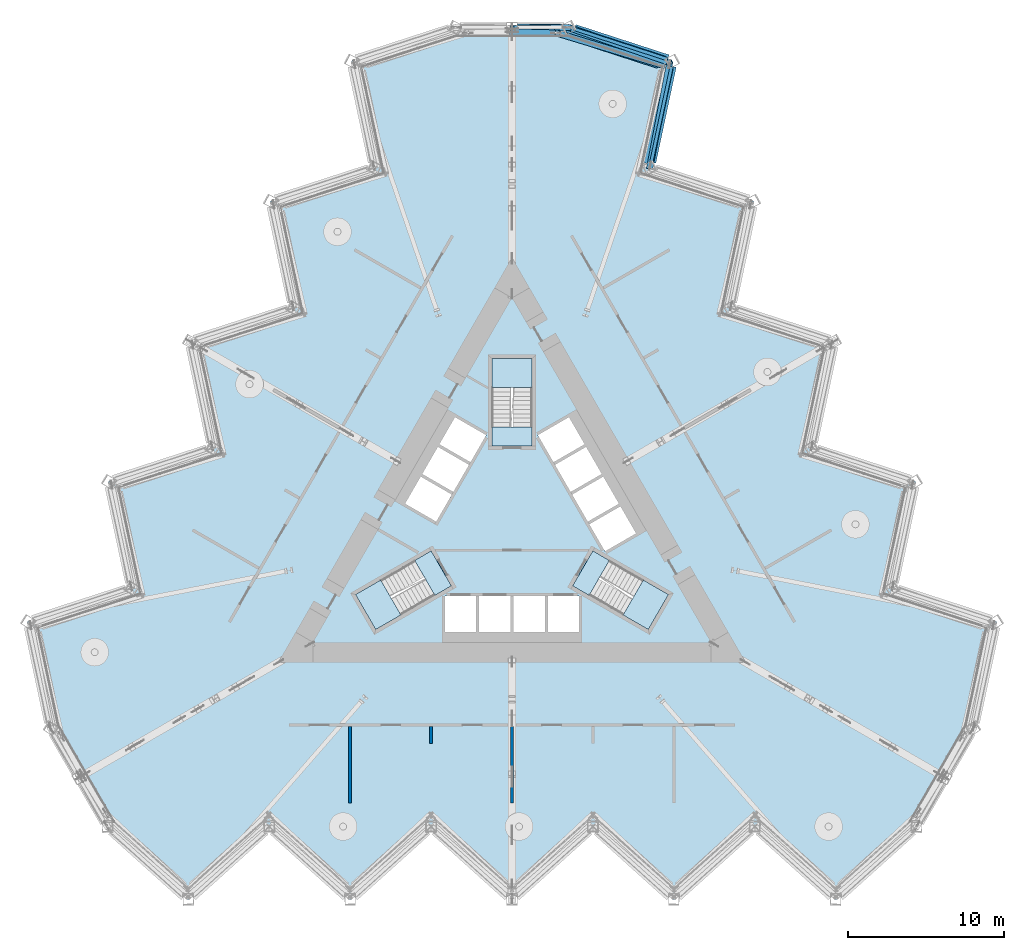
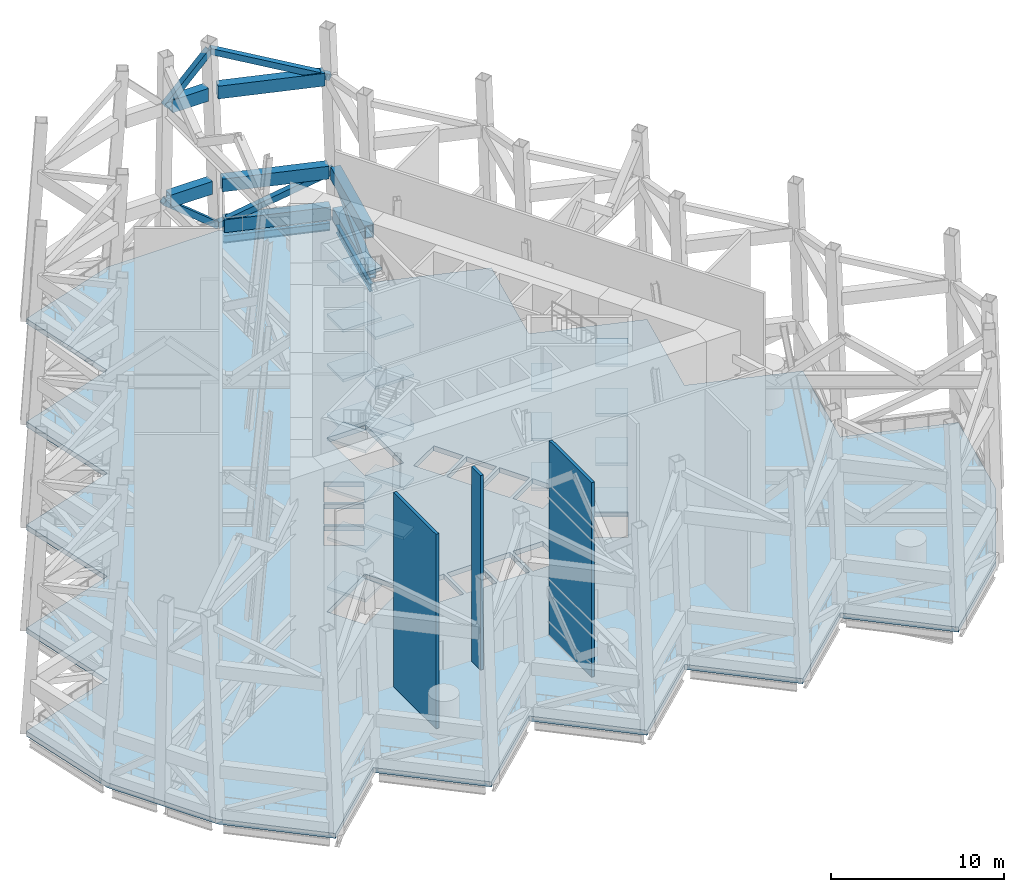
# One storey, part 7 of 19: 22 slabs, 12 members, 3 walls, 2 beams, 3 elements without a shape of their own.
"""IFC4 building model written with IfcOpenShell, lengths in metres."""

from ifc_helpers import new_model, si_unit, direction, frame, frame_2d, origin, origin_2d, place, context, subcontext, project, spatial, polyline, rectangle, hollow_rectangle, i_section, outline, extrude, material, layer, layer_set, material_profile, profile_set, type_object, element, aggregate, save


model = new_model("IFC4")

# Units and contexts
model_context = context("Model", 3, precision=1e-05, world=origin(), true_north=direction((0.0, 1.0)))
body_context = subcontext(model_context, "Body", "Model", "MODEL_VIEW")
ifc_project = project(units=[si_unit("LENGTHUNIT", "METRE"), si_unit("AREAUNIT", "SQUARE_METRE"), si_unit("VOLUMEUNIT", "CUBIC_METRE"), si_unit("PLANEANGLEUNIT", "RADIAN"), si_unit("MASSUNIT", "GRAM", prefix="KILO")], contexts=[model_context])

# Site, building, storey
site_placement = place(None, origin())
site = spatial("IfcSite", under=ifc_project, at=site_placement, CompositionType="ELEMENT")
building_placement = place(site_placement, origin())
building = spatial("IfcBuilding", under=site, at=building_placement, Name="Cormorant Prow Tower", CompositionType="ELEMENT")
storey_placement = place(building_placement, frame((0.0, 0.0, 287.800048828125)))
storey = spatial("IfcBuildingStorey", under=building, at=storey_placement, Name="L64", CompositionType="ELEMENT", Elevation=287.800048828125)

# Members
ifc_material_1 = material(Name="Structural steel ASTM A572 Gr 50", Category="steel")
ifc_material_profile_1 = material_profile(ifc_material_1, hollow_rectangle(XDim=0.60009765625, YDim=0.89990234375, WallThickness=0.06005859375, at=origin_2d()), Name="Box 900x600x60")
ifc_profile_set_1 = profile_set([ifc_material_profile_1], Name="Structural steel ASTM A572 Gr 50")
member_type_1 = type_object("IfcMemberType", Name="Belt truss bottom chord 900x600x60", PredefinedType="CHORD", material=ifc_profile_set_1)
member_1_placement = place(storey_placement, frame((8.931396484375, 23.429443359375, 0.449951171875), z_axis=(0.207896407679, 0.97815084914, 0.0), x_axis=(-0.97815084914, 0.207896407679, 0.0)))
element("IfcMember", 1, at=member_1_placement, inside=storey, type_object=member_type_1, Name="Belt truss bottom chord ENE08-ENE09 L64", PredefinedType="CHORD", context=body_context, shape_type="SweptSolid", body=[
    extrude(hollow_rectangle(XDim=0.60009765625, YDim=0.89990234375, WallThickness=0.06005859375, at=origin_2d()), origin(), (0.0, 0.0, 1.0), 6.281494140625),
])
member_2_placement = place(storey_placement, frame((8.73779296875, 23.326904296875, 3.449951171875), z_axis=(0.207897315893, 0.978150656108, 0.0), x_axis=(-0.978150656108, 0.207897315893, 0.0)))
element("IfcMember", 2, at=member_2_placement, inside=storey, type_object=member_type_1, Name="Belt truss intermediate chord ENE08-ENE09 L64 level 1", PredefinedType="CHORD", context=body_context, shape_type="SweptSolid", body=[
    extrude(hollow_rectangle(XDim=0.60009765625, YDim=0.89990234375, WallThickness=0.06005859375, at=origin_2d()), origin(), (0.0, 0.0, 1.0), 6.284912109375),
])
member_3_placement = place(storey_placement, frame((9.977294921875, 30.024169921875, 0.449951171875), z_axis=(-0.951054060056, 0.309024553801, 0.0), x_axis=(-0.309024553801, -0.951054060056, 0.0)))
element("IfcMember", 3, at=member_3_placement, inside=storey, type_object=member_type_1, Name="Belt truss bottom chord ENE09-N00 L64", PredefinedType="CHORD", context=body_context, shape_type="SweptSolid", body=[
    extrude(hollow_rectangle(XDim=0.60009765625, YDim=0.89990234375, WallThickness=0.06005859375, at=origin_2d()), origin(), (0.0, 0.0, 1.0), 6.281494140625),
])
member_4_placement = place(storey_placement, frame((9.784423828125, 29.925048828125, 3.449951171875), z_axis=(-0.951048911238, 0.309040399355, 0.0), x_axis=(-0.309040399355, -0.951048911238, 0.0)))
element("IfcMember", 4, at=member_4_placement, inside=storey, type_object=member_type_1, Name="Belt truss intermediate chord ENE09-N00 L64 level 1", PredefinedType="CHORD", context=body_context, shape_type="SweptSolid", body=[
    extrude(hollow_rectangle(XDim=0.60009765625, YDim=0.89990234375, WallThickness=0.06005859375, at=origin_2d()), origin(), (0.0, 0.0, 1.0), 6.28515625),
])
member_5_placement = place(storey_placement, frame((9.404296875, 29.72998046875, 10.25), z_axis=(-0.951057732739, 0.309013250521, 0.0), x_axis=(-0.309013250521, -0.951057732739, 0.0)))
element("IfcMember", 5, at=member_5_placement, inside=storey, type_object=member_type_1, Name="Belt truss intermediate chord ENE09-N00 L64 level 2", PredefinedType="CHORD", context=body_context, shape_type="SweptSolid", body=[
    extrude(hollow_rectangle(XDim=0.60009765625, YDim=0.89990234375, WallThickness=0.06005859375, at=origin_2d()), origin(), (0.0, 0.0, 1.0), 6.2919921875),
])
member_6_placement = place(storey_placement, frame((3.1240234375, 31.9755859375, 3.449951171875), z_axis=(-1.0, 0.0, 0.0), x_axis=(0.0, -1.0, 0.0)))
element("IfcMember", 6, at=member_6_placement, inside=storey, type_object=member_type_1, Name="Belt truss intermediate chord N00-N01 L64 level 1", PredefinedType="CHORD", context=body_context, shape_type="SweptSolid", body=[
    extrude(hollow_rectangle(XDim=0.60009765625, YDim=0.89990234375, WallThickness=0.06005859375, at=origin_2d()), origin(), (0.0, 0.0, 1.0), 2.77392578125),
])
member_7_placement = place(storey_placement, frame((2.737060546875, 31.782470703125, 10.25), z_axis=(-1.0, 0.0, 0.0), x_axis=(0.0, -1.0, 0.0)))
element("IfcMember", 7, at=member_7_placement, inside=storey, type_object=member_type_1, Name="Belt truss intermediate chord N00-N01 L64 level 2", PredefinedType="CHORD", context=body_context, shape_type="SweptSolid", body=[
    extrude(hollow_rectangle(XDim=0.60009765625, YDim=0.89990234375, WallThickness=0.06005859375, at=origin_2d()), origin(), (0.0, 0.0, 1.0), 2.386962890625),
])
ifc_material_2 = material(Name="Structural steel ASTM A500 Gr C", Category="steel")
ifc_material_profile_2 = material_profile(ifc_material_2, hollow_rectangle(XDim=0.406494140625, YDim=0.406494140625, WallThickness=0.014892578125, at=origin_2d()), Name="HSS16x16x5/8")
ifc_profile_set_2 = profile_set([ifc_material_profile_2], Name="Structural steel ASTM A500 Gr C")
member_type_2 = type_object("IfcMemberType", Name="Belt truss diagonal HSS16x16x5/8", PredefinedType="BRACE", material=ifc_profile_set_2)
member_8_placement = place(storey_placement, frame((3.644775390625, 32.060546875, 0.449951171875), z_axis=(0.865483746172, -0.300018695157, 0.401156662252), x_axis=(0.327527943746, 0.944841492561, 0.0)))
element("IfcMember", 8, at=member_8_placement, inside=storey, type_object=member_type_2, Name="Belt truss diagonal ENE09-N00 L64 lower girder band", PredefinedType="BRACE", context=body_context, shape_type="SweptSolid", body=[
    extrude(hollow_rectangle(XDim=0.406494140625, YDim=0.406494140625, WallThickness=0.014892578125, at=origin_2d()), origin(), (0.0, 0.0, 1.0), 7.478271484375),
])
member_9_placement = place(storey_placement, frame((0.0, 31.782470703125, 10.25), z_axis=(0.696913901489, -0.020360200203, 0.716865730914), x_axis=(0.029202340426, 0.999573520715, 0.0)))
element("IfcMember", 9, at=member_9_placement, inside=storey, type_object=member_type_2, Name="Belt truss diagonal N00-N01 L64 upper girder band", PredefinedType="BRACE", context=body_context, shape_type="SweptSolid", body=[
    extrude(hollow_rectangle(XDim=0.406494140625, YDim=0.406494140625, WallThickness=0.014892578125, at=origin_2d()), origin(), (0.0, 0.0, 1.0), 4.184814453125),
])
ifc_material_3 = material(Name="Structural steel ASTM A500 Gr C", Category="steel")
ifc_material_profile_3 = material_profile(ifc_material_3, hollow_rectangle(XDim=0.406494140625, YDim=0.406494140625, WallThickness=0.014892578125, at=origin_2d()), Name="HSS16x16x5/8")
ifc_profile_set_3 = profile_set([ifc_material_profile_3], Name="Structural steel ASTM A500 Gr C")
member_type_3 = type_object("IfcMemberType", Name="Belt truss strut HSS16x16x5/8", PredefinedType="STRUT", material=ifc_profile_set_3)
member_10_placement = place(storey_placement, frame((8.83349609375, 23.07373046875, 0.449951171875), z_axis=(0.171359843549, 0.90014432842, 0.400469714251), x_axis=(-0.982357862273, 0.187010776243, 0.0)))
element("IfcMember", 10, at=member_10_placement, inside=storey, type_object=member_type_3, Name="Belt truss strut ENE08-ENE09 L64 lower girder band", PredefinedType="STRUT", context=body_context, shape_type="SweptSolid", body=[
    extrude(hollow_rectangle(XDim=0.406494140625, YDim=0.406494140625, WallThickness=0.014892578125, at=origin_2d()), origin(), (0.0, 0.0, 1.0), 7.4912109375),
])
member_11_placement = place(storey_placement, frame((9.737060546875, 29.621826171875, 10.25), z_axis=(-0.881799002693, 0.268324205244, 0.387856467949), x_axis=(-0.291112559254, -0.956688809302, 0.0)))
element("IfcMember", 11, at=member_11_placement, inside=storey, type_object=member_type_3, Name="Belt truss strut ENE09-N00 L64 upper girder band", PredefinedType="STRUT", context=body_context, shape_type="SweptSolid", body=[
    extrude(hollow_rectangle(XDim=0.406494140625, YDim=0.406494140625, WallThickness=0.014892578125, at=origin_2d()), origin(), (0.0, 0.0, 1.0), 7.73486328125),
])
member_12_placement = place(storey_placement, frame((3.644775390625, 32.060546875, 0.449951171875), z_axis=(-0.771969408998, -0.017994865988, 0.635404923154), x_axis=(0.023304005079, -0.999728424797, 0.0)))
element("IfcMember", 12, at=member_12_placement, inside=storey, type_object=member_type_3, Name="Belt truss strut N00-N01 L64 lower girder band", PredefinedType="STRUT", context=body_context, shape_type="SweptSolid", body=[
    extrude(hollow_rectangle(XDim=0.406494140625, YDim=0.406494140625, WallThickness=0.014892578125, at=origin_2d()), origin(), (0.0, 0.0, 1.0), 4.721435546875),
])

# Beams
ifc_material_4 = material(Name="Structural steel ASTM A992 Gr 50", Category="steel")
ifc_material_profile_4 = material_profile(ifc_material_4, i_section(OverallWidth=0.2138671875, OverallDepth=0.549072265625, WebThickness=0.0146484375, FlangeThickness=0.023681640625, at=origin_2d()), Name="W21x93")
ifc_profile_set_4 = profile_set([ifc_material_profile_4], Name="Structural steel ASTM A992 Gr 50")
beam_type = type_object("IfcBeamType", Name="Spandrel beam W21x93", PredefinedType="SPANDREL", material=ifc_profile_set_4)
for number, where, z_axis, x_axis, name in (
    (13, (8.931396484375, 23.429443359375, -0.62451171875), (0.207896407679, 0.97815084914, 0.0), (-0.97815084914, 0.207896407679, 0.0), "Spandrel beam SB2 ENE08-ENE09 L64"),
    (14, (9.977294921875, 30.024169921875, -0.62451171875), (-0.951054060056, 0.309024553801, 0.0), (-0.309024553801, -0.951054060056, 0.0), "Spandrel beam SB2 ENE09-N00 L64"),
):
    element("IfcBeam", number, at=place(storey_placement, frame(where, z_axis=z_axis, x_axis=x_axis)), inside=storey, type_object=beam_type, Name=name, PredefinedType="SPANDREL", context=body_context, shape_type="SweptSolid", body=[
        extrude(i_section(OverallWidth=0.2138671875, OverallDepth=0.549072265625, WebThickness=0.0146484375, FlangeThickness=0.023681640625, at=origin_2d()), origin(), (0.0, 0.0, 1.0), 6.281494140625),
    ])

# Slab
ifc_material_5 = material(Name="Concrete C40/50", Category="concrete")
ifc_layer_1 = layer(ifc_material_5, 0.35009765625)
ifc_layer_set_1 = layer_set([ifc_layer_1], Name="Concrete C40/50")
slab_type_1 = type_object("IfcSlabType", Name="Post-tensioned flat slab 350", PredefinedType="FLOOR", material=ifc_layer_set_1)
slab_1_placement = place(storey_placement, frame((0.0, 0.0, -0.35009765625)))
element("IfcSlab", 15, at=slab_1_placement, inside=storey, type_object=slab_type_1, Name="Floor slab L64", PredefinedType="FLOOR", context=body_context, shape_type="SweptSolid", body=[
    extrude(outline(polyline([(3.67041015625, 32.073486328125), (0.0, 32.073486328125), (-3.67041015625, 32.073486328125), (-10.310302734375, 29.916015625), (-8.858642578125, 23.087158203125), (-15.49853515625, 20.9296875), (-14.046875, 14.100830078125), (-20.686767578125, 11.943359375), (-19.235107421875, 5.114501953125), (-25.875, 2.957275390625), (-24.42333984375, -3.871826171875), (-31.063232421875, -6.029052734375), (-29.611572265625, -12.858154296875), (-27.7763671875, -16.03662109375), (-25.941162109375, -19.21533203125), (-20.7529296875, -23.886962890625), (-15.564697265625, -19.21533203125), (-10.37646484375, -23.886962890625), (-5.188232421875, -19.21533203125), (0.0, -23.886962890625), (5.188232421875, -19.21533203125), (10.37646484375, -23.886962890625), (15.564697265625, -19.21533203125), (20.7529296875, -23.886962890625), (25.941162109375, -19.21533203125), (27.7763671875, -16.03662109375), (29.611572265625, -12.858154296875), (31.063232421875, -6.029052734375), (24.42333984375, -3.871826171875), (25.875, 2.957275390625), (19.235107421875, 5.114501953125), (20.686767578125, 11.943359375), (14.046875, 14.100830078125), (15.49853515625, 20.9296875), (8.858642578125, 23.087158203125), (10.310302734375, 29.916015625), (3.67041015625, 32.073486328125)]), holes=[polyline([(-4.300048828125, -4.39990234375), (-2.300048828125, -4.39990234375), (-2.300048828125, -6.699951171875), (-4.300048828125, -6.699951171875), (-4.300048828125, -4.39990234375)]), polyline([(-0.10009765625, -4.39990234375), (-0.10009765625, -6.699951171875), (-2.10009765625, -6.699951171875), (-2.10009765625, -4.39990234375), (-0.10009765625, -4.39990234375)]), polyline([(2.10009765625, -6.699951171875), (0.10009765625, -6.699951171875), (0.10009765625, -4.39990234375), (2.10009765625, -4.39990234375), (2.10009765625, -6.699951171875)]), polyline([(2.300048828125, -6.699951171875), (2.300048828125, -4.39990234375), (4.300048828125, -4.39990234375), (4.300048828125, -6.699951171875), (2.300048828125, -6.699951171875)]), polyline([(5.96044921875, -1.52392578125), (4.96044921875, 0.2080078125), (6.952392578125, 1.358154296875), (7.952392578125, -0.373779296875), (5.96044921875, -1.52392578125)]), polyline([(3.860595703125, 2.11328125), (5.852294921875, 3.263427734375), (6.852294921875, 1.53125), (4.860595703125, 0.38134765625), (3.860595703125, 2.11328125)]), polyline([(4.75244140625, 5.168701171875), (5.75244140625, 3.4365234375), (3.760498046875, 2.28662109375), (2.760498046875, 4.018798828125), (4.75244140625, 5.168701171875)]), polyline([(4.65234375, 5.341796875), (2.660400390625, 4.19189453125), (1.660400390625, 5.923828125), (3.65234375, 7.073974609375), (4.65234375, 5.341796875)]), polyline([(-1.660400390625, 5.923828125), (-2.660400390625, 4.19189453125), (-4.65234375, 5.341796875), (-3.65234375, 7.073974609375), (-1.660400390625, 5.923828125)]), polyline([(-3.760498046875, 2.28662109375), (-5.75244140625, 3.4365234375), (-4.75244140625, 5.168701171875), (-2.760498046875, 4.018798828125), (-3.760498046875, 2.28662109375)]), polyline([(-6.852294921875, 1.53125), (-5.852294921875, 3.263427734375), (-3.860595703125, 2.11328125), (-4.860595703125, 0.38134765625), (-6.852294921875, 1.53125)]), polyline([(-4.947509765625, -4.3505859375), (-8.738037109375, -6.5390625), (-10.031982421875, -4.2978515625), (-6.241455078125, -2.109375), (-4.947509765625, -4.3505859375)]), polyline([(10.031982421875, -4.2978515625), (8.738037109375, -6.5390625), (4.947509765625, -4.3505859375), (6.241455078125, -2.109375), (10.031982421875, -4.2978515625)]), polyline([(1.2939453125, 10.8369140625), (1.2939453125, 6.459716796875), (-1.2939453125, 6.459716796875), (-1.2939453125, 10.8369140625), (1.2939453125, 10.8369140625)])]), origin(), (0.0, 0.0, 1.0), 0.35009765625),
])

# Stair, slabs
ifc_material_6 = material(Name="Exit stair 80 risers")
stair_type = type_object("IfcStairType", Name="Exit stair 80 risers", PredefinedType="HALF_TURN_STAIR", material=ifc_material_6)
stair_1_placement = place(storey_placement, origin())
stair_1 = element("IfcStair", 16, at=stair_1_placement, inside=storey, type_object=stair_type, Name="L64 Exit stair ST1", PredefinedType="HALF_TURN_STAIR")
ifc_material_7 = material(Name="Concrete 5000 psi", Category="concrete")
ifc_layer_2 = layer(ifc_material_7, 0.199951171875)
ifc_layer_set_2 = layer_set([ifc_layer_2], Name="Concrete 5000 psi")
slab_type_2 = type_object("IfcSlabType", Name="Stair landing 200", PredefinedType="LANDING", material=ifc_layer_set_2)
slab_2_placement = place(storey_placement, frame((0.0, 0.0, 1.550048828125)))
slab_2 = element("IfcSlab", 17, at=slab_2_placement, type_object=slab_type_2, Name="ST1 landing 1", PredefinedType="LANDING", context=body_context, shape_type="SweptSolid", body=[
    extrude(outline(polyline([(-8.416748046875, -3.365234375), (-10.031982421875, -4.2978515625), (-8.738037109375, -6.5390625), (-7.122802734375, -5.6064453125), (-8.416748046875, -3.365234375)])), origin(), (0.0, 0.0, 1.0), 0.199951171875),
])
slab_3_placement = place(storey_placement, frame((0.0, 0.0, 3.300048828125)))
slab_3 = element("IfcSlab", 18, at=slab_3_placement, type_object=slab_type_2, Name="ST1 landing 2", PredefinedType="LANDING", context=body_context, shape_type="SweptSolid", body=[
    extrude(outline(polyline([(-5.18212890625, -1.497802734375), (-6.241455078125, -2.109375), (-4.947265625, -4.3505859375), (-3.88818359375, -3.739013671875), (-5.18212890625, -1.497802734375)])), origin(), (0.0, 0.0, 1.0), 0.199951171875),
])
slab_4_placement = place(storey_placement, frame((0.0, 0.0, 5.050048828125)))
slab_4 = element("IfcSlab", 19, at=slab_4_placement, type_object=slab_type_2, Name="ST1 landing 3", PredefinedType="LANDING", context=body_context, shape_type="SweptSolid", body=[
    extrude(outline(polyline([(-8.416748046875, -3.365234375), (-10.031982421875, -4.2978515625), (-8.738037109375, -6.5390625), (-7.122802734375, -5.6064453125), (-8.416748046875, -3.365234375)])), origin(), (0.0, 0.0, 1.0), 0.199951171875),
])
slab_5_placement = place(storey_placement, frame((0.0, 0.0, 6.800048828125)))
slab_5 = element("IfcSlab", 20, at=slab_5_placement, type_object=slab_type_2, Name="ST1 landing 4", PredefinedType="LANDING", context=body_context, shape_type="SweptSolid", body=[
    extrude(outline(polyline([(-5.18212890625, -1.497802734375), (-6.241455078125, -2.109375), (-4.947265625, -4.3505859375), (-3.88818359375, -3.739013671875), (-5.18212890625, -1.497802734375)])), origin(), (0.0, 0.0, 1.0), 0.199951171875),
])
slab_6_placement = place(storey_placement, frame((0.0, 0.0, 8.550048828125)))
slab_6 = element("IfcSlab", 21, at=slab_6_placement, type_object=slab_type_2, Name="ST1 landing 5", PredefinedType="LANDING", context=body_context, shape_type="SweptSolid", body=[
    extrude(outline(polyline([(-8.416748046875, -3.365234375), (-10.031982421875, -4.2978515625), (-8.738037109375, -6.5390625), (-7.122802734375, -5.6064453125), (-8.416748046875, -3.365234375)])), origin(), (0.0, 0.0, 1.0), 0.199951171875),
])
slab_7_placement = place(storey_placement, frame((0.0, 0.0, 10.300048828125)))
slab_7 = element("IfcSlab", 22, at=slab_7_placement, type_object=slab_type_2, Name="ST1 landing 6", PredefinedType="LANDING", context=body_context, shape_type="SweptSolid", body=[
    extrude(outline(polyline([(-5.18212890625, -1.497802734375), (-6.241455078125, -2.109375), (-4.947265625, -4.3505859375), (-3.88818359375, -3.739013671875), (-5.18212890625, -1.497802734375)])), origin(), (0.0, 0.0, 1.0), 0.199951171875),
])
slab_8_placement = place(storey_placement, frame((0.0, 0.0, 12.050048828125)))
slab_8 = element("IfcSlab", 23, at=slab_8_placement, type_object=slab_type_2, Name="ST1 landing 7", PredefinedType="LANDING", context=body_context, shape_type="SweptSolid", body=[
    extrude(outline(polyline([(-8.416748046875, -3.365234375), (-10.031982421875, -4.2978515625), (-8.738037109375, -6.5390625), (-7.122802734375, -5.6064453125), (-8.416748046875, -3.365234375)])), origin(), (0.0, 0.0, 1.0), 0.199951171875),
])
aggregate(stair_1, [slab_2, slab_3, slab_4, slab_5, slab_6, slab_7, slab_8])

stair_2_placement = place(storey_placement, origin())
stair_2 = element("IfcStair", 24, at=stair_2_placement, inside=storey, type_object=stair_type, Name="L64 Exit stair ST2", PredefinedType="HALF_TURN_STAIR")
slab_9_placement = place(storey_placement, frame((0.0, 0.0, 1.550048828125)))
slab_9 = element("IfcSlab", 25, at=slab_9_placement, type_object=slab_type_2, Name="ST2 landing 1", PredefinedType="LANDING", context=body_context, shape_type="SweptSolid", body=[
    extrude(outline(polyline([(7.122802734375, -5.6064453125), (8.738037109375, -6.5390625), (10.031982421875, -4.2978515625), (8.416748046875, -3.365234375), (7.122802734375, -5.6064453125)])), origin(), (0.0, 0.0, 1.0), 0.199951171875),
])
slab_10_placement = place(storey_placement, frame((0.0, 0.0, 3.300048828125)))
slab_10 = element("IfcSlab", 26, at=slab_10_placement, type_object=slab_type_2, Name="ST2 landing 2", PredefinedType="LANDING", context=body_context, shape_type="SweptSolid", body=[
    extrude(outline(polyline([(3.88818359375, -3.739013671875), (4.947265625, -4.3505859375), (6.241455078125, -2.109375), (5.18212890625, -1.497802734375), (3.88818359375, -3.739013671875)])), origin(), (0.0, 0.0, 1.0), 0.199951171875),
])
slab_11_placement = place(storey_placement, frame((0.0, 0.0, 5.050048828125)))
slab_11 = element("IfcSlab", 27, at=slab_11_placement, type_object=slab_type_2, Name="ST2 landing 3", PredefinedType="LANDING", context=body_context, shape_type="SweptSolid", body=[
    extrude(outline(polyline([(7.122802734375, -5.6064453125), (8.738037109375, -6.5390625), (10.031982421875, -4.2978515625), (8.416748046875, -3.365234375), (7.122802734375, -5.6064453125)])), origin(), (0.0, 0.0, 1.0), 0.199951171875),
])
slab_12_placement = place(storey_placement, frame((0.0, 0.0, 6.800048828125)))
slab_12 = element("IfcSlab", 28, at=slab_12_placement, type_object=slab_type_2, Name="ST2 landing 4", PredefinedType="LANDING", context=body_context, shape_type="SweptSolid", body=[
    extrude(outline(polyline([(3.88818359375, -3.739013671875), (4.947265625, -4.3505859375), (6.241455078125, -2.109375), (5.18212890625, -1.497802734375), (3.88818359375, -3.739013671875)])), origin(), (0.0, 0.0, 1.0), 0.199951171875),
])
slab_13_placement = place(storey_placement, frame((0.0, 0.0, 8.550048828125)))
slab_13 = element("IfcSlab", 29, at=slab_13_placement, type_object=slab_type_2, Name="ST2 landing 5", PredefinedType="LANDING", context=body_context, shape_type="SweptSolid", body=[
    extrude(outline(polyline([(7.122802734375, -5.6064453125), (8.738037109375, -6.5390625), (10.031982421875, -4.2978515625), (8.416748046875, -3.365234375), (7.122802734375, -5.6064453125)])), origin(), (0.0, 0.0, 1.0), 0.199951171875),
])
slab_14_placement = place(storey_placement, frame((0.0, 0.0, 10.300048828125)))
slab_14 = element("IfcSlab", 30, at=slab_14_placement, type_object=slab_type_2, Name="ST2 landing 6", PredefinedType="LANDING", context=body_context, shape_type="SweptSolid", body=[
    extrude(outline(polyline([(3.88818359375, -3.739013671875), (4.947265625, -4.3505859375), (6.241455078125, -2.109375), (5.18212890625, -1.497802734375), (3.88818359375, -3.739013671875)])), origin(), (0.0, 0.0, 1.0), 0.199951171875),
])
slab_15_placement = place(storey_placement, frame((0.0, 0.0, 12.050048828125)))
slab_15 = element("IfcSlab", 31, at=slab_15_placement, type_object=slab_type_2, Name="ST2 landing 7", PredefinedType="LANDING", context=body_context, shape_type="SweptSolid", body=[
    extrude(outline(polyline([(7.122802734375, -5.6064453125), (8.738037109375, -6.5390625), (10.031982421875, -4.2978515625), (8.416748046875, -3.365234375), (7.122802734375, -5.6064453125)])), origin(), (0.0, 0.0, 1.0), 0.199951171875),
])
aggregate(stair_2, [slab_9, slab_10, slab_11, slab_12, slab_13, slab_14, slab_15])

stair_3_placement = place(storey_placement, origin())
stair_3 = element("IfcStair", 32, at=stair_3_placement, inside=storey, type_object=stair_type, Name="L64 Exit stair ST3", PredefinedType="HALF_TURN_STAIR")
slab_16_placement = place(storey_placement, frame((0.0, 0.0, 1.550048828125)))
slab_16 = element("IfcSlab", 33, at=slab_16_placement, type_object=slab_type_2, Name="ST3 landing 1", PredefinedType="LANDING", context=body_context, shape_type="SweptSolid", body=[
    extrude(outline(polyline([(1.2939453125, 8.971923828125), (1.2939453125, 10.8369140625), (-1.2939453125, 10.8369140625), (-1.2939453125, 8.971923828125), (1.2939453125, 8.971923828125)])), origin(), (0.0, 0.0, 1.0), 0.199951171875),
])
slab_17_placement = place(storey_placement, frame((0.0, 0.0, 3.300048828125)))
slab_17 = element("IfcSlab", 34, at=slab_17_placement, type_object=slab_type_2, Name="ST3 landing 2", PredefinedType="LANDING", context=body_context, shape_type="SweptSolid", body=[
    extrude(outline(polyline([(1.2939453125, 5.23681640625), (1.2939453125, 6.459716796875), (-1.2939453125, 6.459716796875), (-1.2939453125, 5.23681640625), (1.2939453125, 5.23681640625)])), origin(), (0.0, 0.0, 1.0), 0.199951171875),
])
slab_18_placement = place(storey_placement, frame((0.0, 0.0, 5.050048828125)))
slab_18 = element("IfcSlab", 35, at=slab_18_placement, type_object=slab_type_2, Name="ST3 landing 3", PredefinedType="LANDING", context=body_context, shape_type="SweptSolid", body=[
    extrude(outline(polyline([(1.2939453125, 8.971923828125), (1.2939453125, 10.8369140625), (-1.2939453125, 10.8369140625), (-1.2939453125, 8.971923828125), (1.2939453125, 8.971923828125)])), origin(), (0.0, 0.0, 1.0), 0.199951171875),
])
slab_19_placement = place(storey_placement, frame((0.0, 0.0, 6.800048828125)))
slab_19 = element("IfcSlab", 36, at=slab_19_placement, type_object=slab_type_2, Name="ST3 landing 4", PredefinedType="LANDING", context=body_context, shape_type="SweptSolid", body=[
    extrude(outline(polyline([(1.2939453125, 5.23681640625), (1.2939453125, 6.459716796875), (-1.2939453125, 6.459716796875), (-1.2939453125, 5.23681640625), (1.2939453125, 5.23681640625)])), origin(), (0.0, 0.0, 1.0), 0.199951171875),
])
slab_20_placement = place(storey_placement, frame((0.0, 0.0, 8.550048828125)))
slab_20 = element("IfcSlab", 37, at=slab_20_placement, type_object=slab_type_2, Name="ST3 landing 5", PredefinedType="LANDING", context=body_context, shape_type="SweptSolid", body=[
    extrude(outline(polyline([(1.2939453125, 8.971923828125), (1.2939453125, 10.8369140625), (-1.2939453125, 10.8369140625), (-1.2939453125, 8.971923828125), (1.2939453125, 8.971923828125)])), origin(), (0.0, 0.0, 1.0), 0.199951171875),
])
slab_21_placement = place(storey_placement, frame((0.0, 0.0, 10.300048828125)))
slab_21 = element("IfcSlab", 38, at=slab_21_placement, type_object=slab_type_2, Name="ST3 landing 6", PredefinedType="LANDING", context=body_context, shape_type="SweptSolid", body=[
    extrude(outline(polyline([(1.2939453125, 5.23681640625), (1.2939453125, 6.459716796875), (-1.2939453125, 6.459716796875), (-1.2939453125, 5.23681640625), (1.2939453125, 5.23681640625)])), origin(), (0.0, 0.0, 1.0), 0.199951171875),
])
slab_22_placement = place(storey_placement, frame((0.0, 0.0, 12.050048828125)))
slab_22 = element("IfcSlab", 39, at=slab_22_placement, type_object=slab_type_2, Name="ST3 landing 7", PredefinedType="LANDING", context=body_context, shape_type="SweptSolid", body=[
    extrude(outline(polyline([(1.2939453125, 8.971923828125), (1.2939453125, 10.8369140625), (-1.2939453125, 10.8369140625), (-1.2939453125, 8.971923828125), (1.2939453125, 8.971923828125)])), origin(), (0.0, 0.0, 1.0), 0.199951171875),
])
aggregate(stair_3, [slab_16, slab_17, slab_18, slab_19, slab_20, slab_21, slab_22])

# Walls
ifc_material_8 = material(Name="Gypsum board demising wall")
ifc_layer_3 = layer(ifc_material_8, 0.199951171875)
ifc_layer_set_3 = layer_set([ifc_layer_3], Name="Gypsum board demising wall")
wall_type = type_object("IfcWallType", Name="Demising wall 200", PredefinedType="PARTITIONING", material=ifc_layer_set_3)
for number, where, z_axis, x_axis, name in (
    (40, (-10.37646484375, -17.660400390625, 0.0), (0.0, 0.0, 1.0), (0.0, 1.0, 0.0), "Demising wall"),
    (41, (0.0, -17.660400390625, 0.0), (0.0, 0.0, 1.0), (0.0, 1.0, 0.0), "Demising wall"),
):
    element("IfcWall", number, at=place(storey_placement, frame(where, z_axis=z_axis, x_axis=x_axis)), inside=storey, type_object=wall_type, Name=name, PredefinedType="PARTITIONING", context=body_context, shape_type="SweptSolid", body=[
        extrude(rectangle(XDim=4.900146484375, YDim=0.199951171875, at=frame_2d((2.4501953125, 0.0))), origin(), (0.0, 0.0, 1.0), 13.699951171875),
    ])
wall_placement = place(storey_placement, frame((-5.188232421875, -13.8330078125, 0.0), z_axis=(0.0, 0.0, 1.0), x_axis=(0.0, 1.0, 0.0)))
element("IfcWall", 42, at=wall_placement, inside=storey, type_object=wall_type, Name="Demising wall", PredefinedType="PARTITIONING", context=body_context, shape_type="SweptSolid", body=[
    extrude(rectangle(XDim=1.07275390625, YDim=0.199951171875, at=frame_2d((0.536376953125, 0.0))), origin(), (0.0, 0.0, 1.0), 13.699951171875),
])

save(model, "model.ifc")
